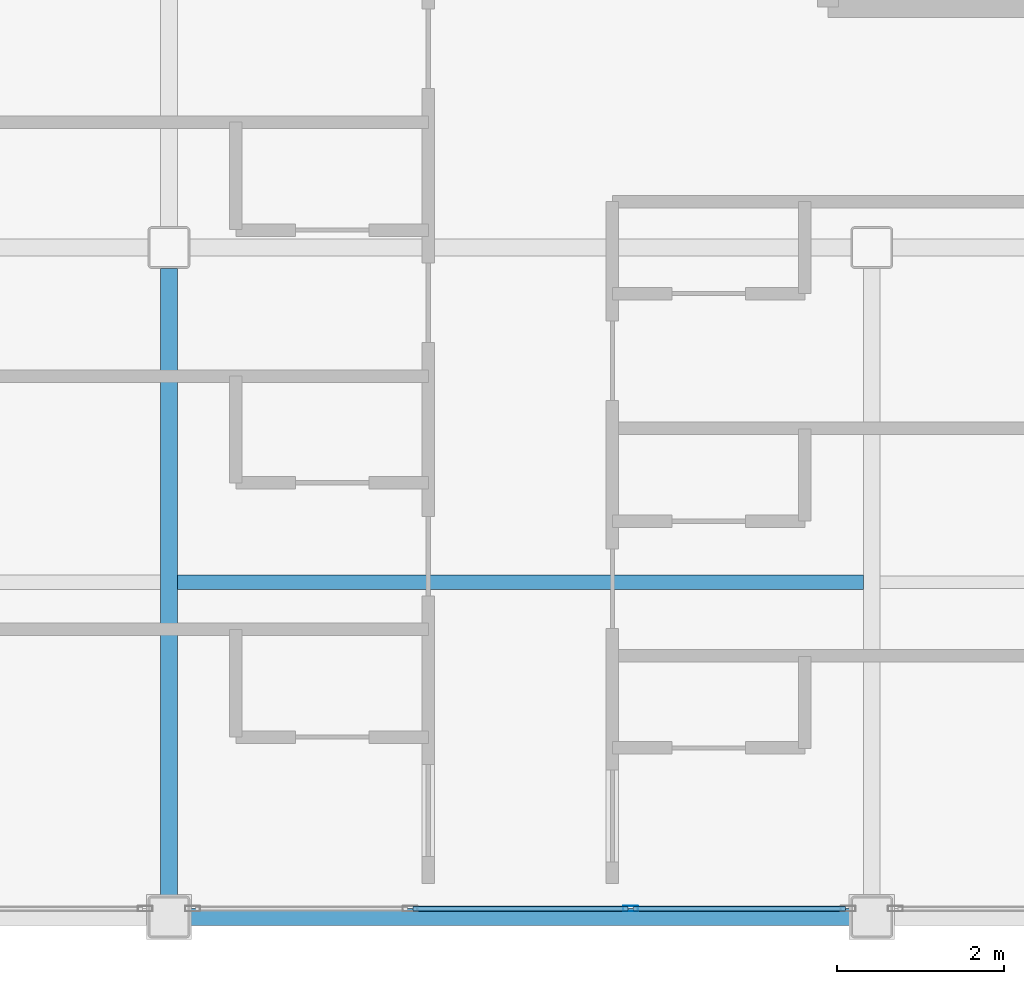
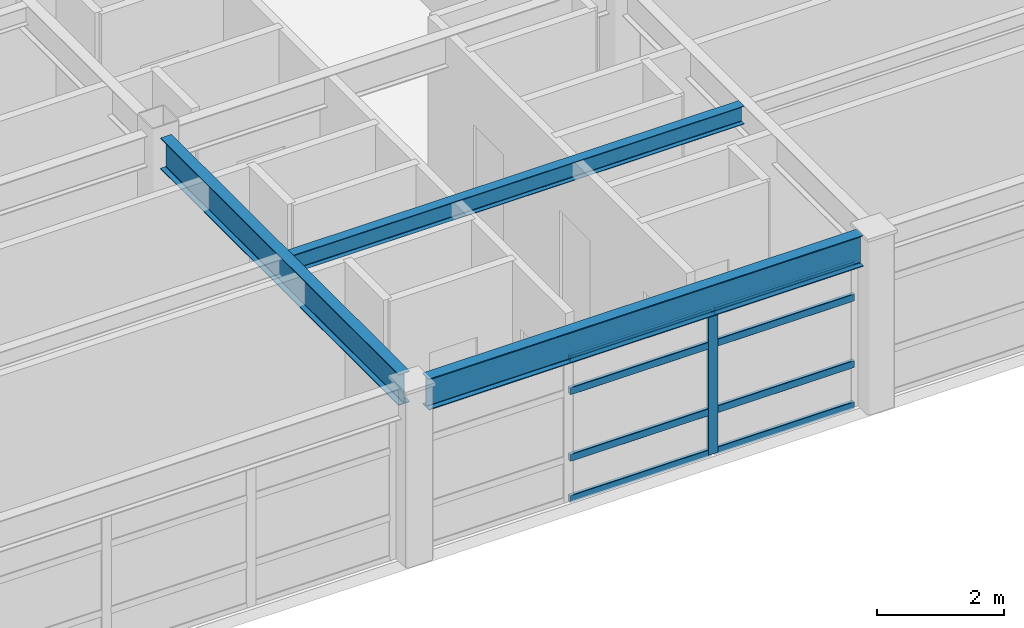
# One storey, part 4 of 33: 9 members, 3 beams, 1 element without a shape of its own.
"""IFC4 building model written with IfcOpenShell, lengths in metres."""

from ifc_helpers import new_model, si_unit, direction, frame, origin, origin_2d, place, context, subcontext, project, spatial, hollow_rectangle, i_section, extrude, material, layer, layer_set, material_profile, profile_set, type_object, element, aggregate, save


model = new_model("IFC4")

# Units and contexts
model_context = context("Model", 3, precision=1e-05, world=origin(), true_north=direction((0.0, 1.0)))
body_context = subcontext(model_context, "Body", "Model", "MODEL_VIEW")
ifc_project = project(units=[si_unit("LENGTHUNIT", "METRE"), si_unit("AREAUNIT", "SQUARE_METRE"), si_unit("VOLUMEUNIT", "CUBIC_METRE"), si_unit("PLANEANGLEUNIT", "RADIAN"), si_unit("MASSUNIT", "GRAM", prefix="KILO")], contexts=[model_context])

# Site, building, storey
site_placement = place(None, origin())
site = spatial("IfcSite", under=ifc_project, at=site_placement, CompositionType="ELEMENT")
building_placement = place(site_placement, origin())
building = spatial("IfcBuilding", under=site, at=building_placement, Name="Kazehara Bluff Congress Hotel", CompositionType="ELEMENT")
storey_placement = place(building_placement, frame((0.0, 0.0, 39.0)))
storey = spatial("IfcBuildingStorey", under=building, at=storey_placement, Name="L09", CompositionType="ELEMENT", Elevation=39.0)

# Curtain wall, members
ifc_material_1 = material(Name="Anodised aluminium", Category="aluminium")
ifc_layer = layer(ifc_material_1, 0.159912109375)
ifc_layer_set = layer_set([ifc_layer], Name="Anodised aluminium")
curtain_wall_type = type_object("IfcCurtainWallType", Name="TP-CW-185", PredefinedType="NOTDEFINED", material=ifc_layer_set)
curtain_wall_placement = place(storey_placement, origin())
curtain_wall = element("IfcCurtainWall", 1, at=curtain_wall_placement, inside=storey, type_object=curtain_wall_type, Name="L09 curtain wall CW-185 CW-ENC-V5-L09-15630-810", PredefinedType="NOTDEFINED")
ifc_material_2 = material(Name="Anodised aluminium", Category="aluminium")
ifc_material_profile_1 = material_profile(ifc_material_2, hollow_rectangle(XDim=0.06494140625, YDim=0.179931640625, WallThickness=0.00390625, InnerFilletRadius=0.00390625, OuterFilletRadius=0.008056640625, at=origin_2d()))
ifc_profile_set_1 = profile_set([ifc_material_profile_1], Name="Anodised aluminium")
member_type_1 = type_object("IfcMemberType", Name="TP-CWM-02", PredefinedType="MULLION", material=ifc_profile_set_1)
member_1_placement = place(storey_placement, frame((157.61669921875, 8.10009765625, 0.0), z_axis=(0.0, 0.0, 1.0), x_axis=(0.0, -1.0, 0.0)))
member_1 = element("IfcMember", 2, at=member_1_placement, type_object=member_type_1, Name="CW-185 mullion 2", PredefinedType="MULLION", context=body_context, shape_type="SweptSolid", body=[
    extrude(hollow_rectangle(XDim=0.06494140625, YDim=0.179931640625, WallThickness=0.00390625, InnerFilletRadius=0.00390625, OuterFilletRadius=0.008056640625, at=origin_2d()), origin(), (0.0, 0.0, 1.0), 2.7548828125),
])
ifc_material_3 = material(Name="Anodised aluminium", Category="aluminium")
ifc_material_profile_2 = material_profile(ifc_material_3, hollow_rectangle(XDim=0.06494140625, YDim=0.139892578125, WallThickness=0.00390625, InnerFilletRadius=0.00390625, OuterFilletRadius=0.008056640625, at=origin_2d()))
ifc_profile_set_2 = profile_set([ifc_material_profile_2], Name="Anodised aluminium")
member_type_2 = type_object("IfcMemberType", Name="TP-CWT-02", PredefinedType="USERDEFINED", material=ifc_profile_set_2)
member_2_placement = place(storey_placement, frame((160.18505859375, 8.10009765625, 0.032470703125), z_axis=(-1.0, 0.0, 0.0), x_axis=(0.0, -1.0, 0.0)))
member_2 = element("IfcMember", 3, at=member_2_placement, type_object=member_type_2, Name="CW-185 transom 1.1", ObjectType="TRANSOM", PredefinedType="USERDEFINED", context=body_context, shape_type="SweptSolid", body=[
    extrude(hollow_rectangle(XDim=0.06494140625, YDim=0.139892578125, WallThickness=0.00390625, InnerFilletRadius=0.00390625, OuterFilletRadius=0.008056640625, at=origin_2d()), origin(), (0.0, 0.0, 1.0), 2.535888671875),
])
member_3_placement = place(storey_placement, frame((160.18505859375, 8.10009765625, 0.824951171875), z_axis=(-1.0, 0.0, 0.0), x_axis=(0.0, -1.0, 0.0)))
member_3 = element("IfcMember", 4, at=member_3_placement, type_object=member_type_2, Name="CW-185 transom 1.2", ObjectType="TRANSOM", PredefinedType="USERDEFINED", context=body_context, shape_type="SweptSolid", body=[
    extrude(hollow_rectangle(XDim=0.06494140625, YDim=0.139892578125, WallThickness=0.00390625, InnerFilletRadius=0.00390625, OuterFilletRadius=0.008056640625, at=origin_2d()), origin(), (0.0, 0.0, 1.0), 2.535888671875),
])
member_4_placement = place(storey_placement, frame((160.18505859375, 8.10009765625, 2.10498046875), z_axis=(-1.0, 0.0, 0.0), x_axis=(0.0, -1.0, 0.0)))
member_4 = element("IfcMember", 5, at=member_4_placement, type_object=member_type_2, Name="CW-185 transom 1.3", ObjectType="TRANSOM", PredefinedType="USERDEFINED", context=body_context, shape_type="SweptSolid", body=[
    extrude(hollow_rectangle(XDim=0.06494140625, YDim=0.139892578125, WallThickness=0.00390625, InnerFilletRadius=0.00390625, OuterFilletRadius=0.008056640625, at=origin_2d()), origin(), (0.0, 0.0, 1.0), 2.535888671875),
])
member_5_placement = place(storey_placement, frame((160.18505859375, 8.10009765625, 2.722412109375), z_axis=(-1.0, 0.0, 0.0), x_axis=(0.0, -1.0, 0.0)))
member_5 = element("IfcMember", 6, at=member_5_placement, type_object=member_type_2, Name="CW-185 transom 1.4", ObjectType="TRANSOM", PredefinedType="USERDEFINED", context=body_context, shape_type="SweptSolid", body=[
    extrude(hollow_rectangle(XDim=0.06494140625, YDim=0.139892578125, WallThickness=0.00390625, InnerFilletRadius=0.00390625, OuterFilletRadius=0.008056640625, at=origin_2d()), origin(), (0.0, 0.0, 1.0), 2.535888671875),
])
member_6_placement = place(storey_placement, frame((157.584228515625, 8.10009765625, 0.032470703125), z_axis=(-1.0, 0.0, 0.0), x_axis=(0.0, -1.0, 0.0)))
member_6 = element("IfcMember", 7, at=member_6_placement, type_object=member_type_2, Name="CW-185 transom 2.1", ObjectType="TRANSOM", PredefinedType="USERDEFINED", context=body_context, shape_type="SweptSolid", body=[
    extrude(hollow_rectangle(XDim=0.06494140625, YDim=0.139892578125, WallThickness=0.00390625, InnerFilletRadius=0.00390625, OuterFilletRadius=0.008056640625, at=origin_2d()), origin(), (0.0, 0.0, 1.0), 2.568359375),
])
member_7_placement = place(storey_placement, frame((157.584228515625, 8.10009765625, 0.824951171875), z_axis=(-1.0, 0.0, 0.0), x_axis=(0.0, -1.0, 0.0)))
member_7 = element("IfcMember", 8, at=member_7_placement, type_object=member_type_2, Name="CW-185 transom 2.2", ObjectType="TRANSOM", PredefinedType="USERDEFINED", context=body_context, shape_type="SweptSolid", body=[
    extrude(hollow_rectangle(XDim=0.06494140625, YDim=0.139892578125, WallThickness=0.00390625, InnerFilletRadius=0.00390625, OuterFilletRadius=0.008056640625, at=origin_2d()), origin(), (0.0, 0.0, 1.0), 2.568359375),
])
member_8_placement = place(storey_placement, frame((157.584228515625, 8.10009765625, 2.10498046875), z_axis=(-1.0, 0.0, 0.0), x_axis=(0.0, -1.0, 0.0)))
member_8 = element("IfcMember", 9, at=member_8_placement, type_object=member_type_2, Name="CW-185 transom 2.3", ObjectType="TRANSOM", PredefinedType="USERDEFINED", context=body_context, shape_type="SweptSolid", body=[
    extrude(hollow_rectangle(XDim=0.06494140625, YDim=0.139892578125, WallThickness=0.00390625, InnerFilletRadius=0.00390625, OuterFilletRadius=0.008056640625, at=origin_2d()), origin(), (0.0, 0.0, 1.0), 2.568359375),
])
member_9_placement = place(storey_placement, frame((157.584228515625, 8.10009765625, 2.722412109375), z_axis=(-1.0, 0.0, 0.0), x_axis=(0.0, -1.0, 0.0)))
member_9 = element("IfcMember", 10, at=member_9_placement, type_object=member_type_2, Name="CW-185 transom 2.4", ObjectType="TRANSOM", PredefinedType="USERDEFINED", context=body_context, shape_type="SweptSolid", body=[
    extrude(hollow_rectangle(XDim=0.06494140625, YDim=0.139892578125, WallThickness=0.00390625, InnerFilletRadius=0.00390625, OuterFilletRadius=0.008056640625, at=origin_2d()), origin(), (0.0, 0.0, 1.0), 2.568359375),
])
aggregate(curtain_wall, [member_1, member_2, member_3, member_4, member_5, member_6, member_7, member_8, member_9])

# Beams
ifc_material_4 = material(Name="Steel SN490B", Category="steel")
ifc_material_profile_3 = material_profile(ifc_material_4, i_section(OverallWidth=0.199951171875, OverallDepth=0.60009765625, WebThickness=0.010986328125, FlangeThickness=0.01708984375, FilletRadius=0.012939453125, at=origin_2d()))
ifc_profile_set_3 = profile_set([ifc_material_profile_3], Name="Steel SN490B")
beam_type_1 = type_object("IfcBeamType", Name="TP-G-02", PredefinedType="BEAM", material=ifc_profile_set_3)
beam_1_placement = place(storey_placement, frame((152.10009765625, 8.25, 3.080078125), z_axis=(0.0, 1.0, 0.0), x_axis=(-1.0, 0.0, 0.0)))
element("IfcBeam", 11, at=beam_1_placement, inside=storey, type_object=beam_type_1, Name="L09 girder G-02 11", PredefinedType="BEAM", context=body_context, shape_type="SweptSolid", body=[
    extrude(i_section(OverallWidth=0.199951171875, OverallDepth=0.60009765625, WebThickness=0.010986328125, FlangeThickness=0.01708984375, FilletRadius=0.012939453125, at=origin_2d()), origin(), (0.0, 0.0, 1.0), 7.5),
])
beam_2_placement = place(storey_placement, frame((152.35009765625, 8.0, 3.080078125), z_axis=(1.0, 0.0, 0.0), x_axis=(0.0, 1.0, 0.0)))
element("IfcBeam", 12, at=beam_2_placement, inside=storey, type_object=beam_type_1, Name="L09 girder G-02 37", PredefinedType="BEAM", context=body_context, shape_type="SweptSolid", body=[
    extrude(i_section(OverallWidth=0.199951171875, OverallDepth=0.60009765625, WebThickness=0.010986328125, FlangeThickness=0.01708984375, FilletRadius=0.012939453125, at=origin_2d()), origin(), (0.0, 0.0, 1.0), 7.89990234375),
])
ifc_material_5 = material(Name="Steel SN400B", Category="steel")
ifc_material_profile_4 = material_profile(ifc_material_5, i_section(OverallWidth=0.175048828125, OverallDepth=0.35009765625, WebThickness=0.007080078125, FlangeThickness=0.010986328125, FilletRadius=0.012939453125, at=origin_2d()))
ifc_profile_set_4 = profile_set([ifc_material_profile_4], Name="Steel SN400B")
beam_type_2 = type_object("IfcBeamType", Name="TP-J-02", PredefinedType="JOIST", material=ifc_profile_set_4)
beam_3_placement = place(storey_placement, frame((152.199951171875, 12.0, 3.205078125), z_axis=(1.0, 0.0, 0.0), x_axis=(0.0, 1.0, 0.0)))
element("IfcBeam", 13, at=beam_3_placement, inside=storey, type_object=beam_type_2, Name="L09 secondary joist J-02 8", PredefinedType="JOIST", context=body_context, shape_type="SweptSolid", body=[
    extrude(i_section(OverallWidth=0.175048828125, OverallDepth=0.35009765625, WebThickness=0.007080078125, FlangeThickness=0.010986328125, FilletRadius=0.012939453125, at=origin_2d()), origin(), (0.0, 0.0, 1.0), 8.199951171875),
])

save(model, "model.ifc")
